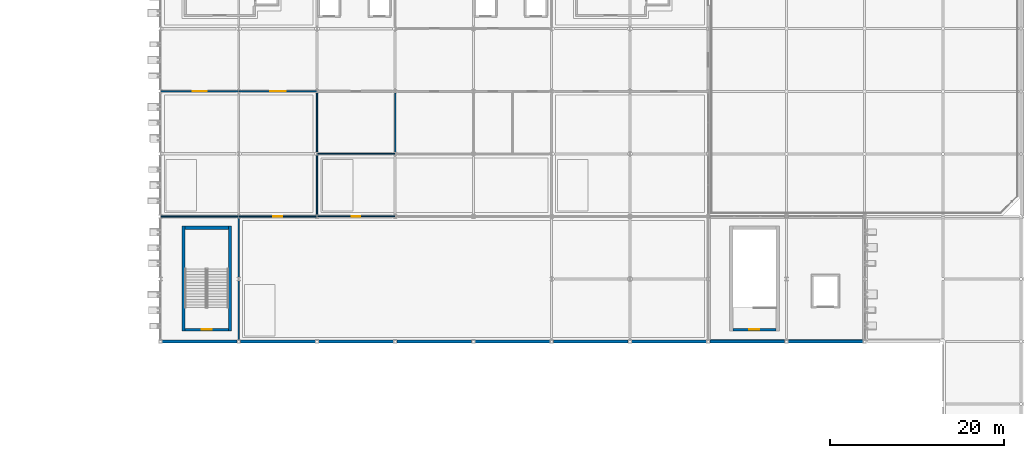
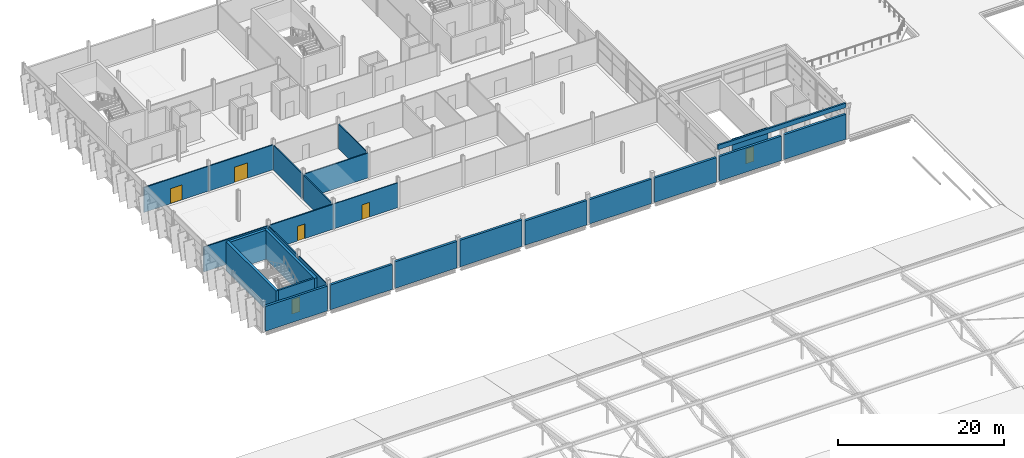
# One storey, part 65 of 78: 26 walls, 6 doors, 6 openings.
"""IFC4 building model written with IfcOpenShell, lengths in metres."""

from ifc_helpers import new_model, si_unit, direction, frame, frame_2d, origin, place, context, subcontext, project, spatial, rectangle, extrude, material, layer, layer_set, type_object, element, fill, save


model = new_model("IFC4")

# Units and contexts
model_context = context("Model", 3, precision=1e-05, world=origin(), true_north=direction((0.0, 1.0)))
body_context = subcontext(model_context, "Body", "Model", "MODEL_VIEW")
ifc_project = project(units=[si_unit("LENGTHUNIT", "METRE"), si_unit("AREAUNIT", "SQUARE_METRE"), si_unit("VOLUMEUNIT", "CUBIC_METRE"), si_unit("PLANEANGLEUNIT", "RADIAN"), si_unit("MASSUNIT", "GRAM", prefix="KILO")], contexts=[model_context])

# Site, building, storey
site_placement = place(None, origin())
site = spatial("IfcSite", under=ifc_project, at=site_placement, CompositionType="ELEMENT")
building_placement = place(site_placement, origin())
building = spatial("IfcBuilding", under=site, at=building_placement, Name="Celestram Park Convention Centre", CompositionType="ELEMENT")
storey_placement = place(building_placement, frame((0.0, 0.0, 19.800048828125)))
storey = spatial("IfcBuildingStorey", under=building, at=storey_placement, Name="L04", CompositionType="ELEMENT", Elevation=19.800048828125)

# Wall, opening, door
ifc_material_1 = material(Name="Concrete Block Masonry C25/30", Category="masonry")
ifc_layer_1 = layer(ifc_material_1, 0.25)
ifc_layer_set_1 = layer_set([ifc_layer_1], Name="Concrete Block Masonry C25/30")
wall_type_1 = type_object("IfcWallType", Name="ARC-WL-COR250", PredefinedType="STANDARD", material=ifc_layer_set_1)
wall_1_placement = place(storey_placement, frame((101.840087890625, 109.375, 0.0), z_axis=(0.0, 0.0, 1.0), x_axis=(1.0, 0.0, 0.0)))
wall_1 = element("IfcWall", 1, at=wall_1_placement, inside=storey, type_object=wall_type_1, Name="Core C3 stair entrance wall", PredefinedType="STANDARD", context=body_context, shape_type="SweptSolid", body=[
    extrude(rectangle(XDim=4.9599609375, YDim=0.25, at=frame_2d((2.47998046875, 0.0))), origin(), (0.0, 0.0, 1.0), 4.25),
])
opening_1_placement = place(wall_1_placement, frame((1.905029296875, 0.0, 0.0)))
opening_1 = element("IfcOpeningElement", 2, at=opening_1_placement, cuts=wall_1, Name="Opening D-ST1", PredefinedType="OPENING", context=body_context, shape_type="SweptSolid", body=[
    extrude(rectangle(XDim=1.14990234375, YDim=2.199951171875, at=frame_2d((0.574951171875, 1.10009765625))), frame((0.0, 0.135009765625, 0.0), z_axis=(0.0, -1.0, 0.0), x_axis=(1.0, 0.0, 0.0)), (0.0, 0.0, 1.0), 0.27001953125),
])
ifc_material_2 = material(Name="Fire-Rated Hollow Metal Steel ASTM A653", Category="steel")
door_type_1 = type_object("IfcDoorType", Name="ARC-DR-ST115", OperationType="NOTDEFINED", PredefinedType="DOOR", material=ifc_material_2)
door_1_placement = place(opening_1_placement, origin())
door_1 = element("IfcDoor", 3, at=door_1_placement, inside=storey, type_object=door_type_1, Name="Exit stair ST-03 fire door", OperationType="SINGLE_SWING_RIGHT", OverallHeight=2.199951171875, OverallWidth=1.14990234375, PredefinedType="DOOR", context=body_context, shape_type="SweptSolid", body=[
    extrude(rectangle(XDim=1.14990234375, YDim=2.199951171875, at=frame_2d((0.574951171875, 1.10009765625))), frame((0.0, 0.02490234375, 0.0), z_axis=(0.0, -1.0, 0.0), x_axis=(1.0, 0.0, 0.0)), (0.0, 0.0, 1.0), 0.050048828125),
])
fill(opening_1, door_1)

wall_2_placement = place(storey_placement, frame((38.840087890625, 109.375, 0.0), z_axis=(0.0, 0.0, 1.0), x_axis=(1.0, 0.0, 0.0)))
wall_2 = element("IfcWall", 4, at=wall_2_placement, inside=storey, type_object=wall_type_1, Name="Core S13 stair entrance wall", PredefinedType="STANDARD", context=body_context, shape_type="SweptSolid", body=[
    extrude(rectangle(XDim=4.9599609375, YDim=0.25, at=frame_2d((2.47998046875, 0.0))), origin(), (0.0, 0.0, 1.0), 4.25),
])
opening_2_placement = place(wall_2_placement, frame((1.905029296875, 0.0, 0.0)))
opening_2 = element("IfcOpeningElement", 5, at=opening_2_placement, cuts=wall_2, Name="Opening D-ST1", PredefinedType="OPENING", context=body_context, shape_type="SweptSolid", body=[
    extrude(rectangle(XDim=1.14990234375, YDim=2.199951171875, at=frame_2d((0.574951171875, 1.10009765625))), frame((0.0, 0.135009765625, 0.0), z_axis=(0.0, -1.0, 0.0), x_axis=(1.0, 0.0, 0.0)), (0.0, 0.0, 1.0), 0.27001953125),
])
door_2_placement = place(opening_2_placement, origin())
door_2 = element("IfcDoor", 6, at=door_2_placement, inside=storey, type_object=door_type_1, Name="Exit stair ST-13 fire door", OperationType="SINGLE_SWING_RIGHT", OverallHeight=2.199951171875, OverallWidth=1.14990234375, PredefinedType="DOOR", context=body_context, shape_type="SweptSolid", body=[
    extrude(rectangle(XDim=1.14990234375, YDim=2.199951171875, at=frame_2d((0.574951171875, 1.10009765625))), frame((0.0, 0.02490234375, 0.0), z_axis=(0.0, -1.0, 0.0), x_axis=(1.0, 0.0, 0.0)), (0.0, 0.0, 1.0), 0.050048828125),
])
fill(opening_2, door_2)

# Walls
ifc_material_3 = material(Name="Precast Concrete C40/50", Category="concrete")
ifc_layer_2 = layer(ifc_material_3, 0.320068359375)
ifc_layer_set_2 = layer_set([ifc_layer_2], Name="Precast Concrete C40/50")
wall_type_2 = type_object("IfcWallType", Name="ARC-WL-EXT320", PredefinedType="STANDARD", material=ifc_layer_set_2)
wall_3_placement = place(storey_placement, frame((116.802001953125, 108.0, 0.0), z_axis=(0.0, 0.0, 1.0), x_axis=(-1.0, 0.0, 0.0)))
element("IfcWall", 7, at=wall_3_placement, inside=storey, type_object=wall_type_2, Name="Bush-hammered precast exterior wall WL-L04-EW217", PredefinedType="STANDARD", context=body_context, shape_type="SweptSolid", body=[
    extrude(rectangle(XDim=8.60400390625, YDim=0.320068359375, at=frame_2d((4.302001953125, 0.0))), origin(), (0.0, 0.0, 1.0), 3.64794921875),
])
for number, where, z_axis, x_axis, name in (
    (8, (107.802001953125, 108.0, 0.0), (0.0, 0.0, 1.0), (-1.0, 0.0, 0.0), "Bush-hammered precast exterior wall WL-L04-EW218"),
    (9, (98.802001953125, 108.0, 0.0), (0.0, 0.0, 1.0), (-1.0, 0.0, 0.0), "Bush-hammered precast exterior wall WL-L04-EW219"),
    (10, (89.802001953125, 108.0, 0.0), (0.0, 0.0, 1.0), (-1.0, 0.0, 0.0), "Bush-hammered precast exterior wall WL-L04-EW220"),
    (11, (80.802001953125, 108.0, 0.0), (0.0, 0.0, 1.0), (-1.0, 0.0, 0.0), "Bush-hammered precast exterior wall WL-L04-EW221"),
):
    element("IfcWall", number, at=place(storey_placement, frame(where, z_axis=z_axis, x_axis=x_axis)), inside=storey, type_object=wall_type_2, Name=name, PredefinedType="STANDARD", context=body_context, shape_type="SweptSolid", body=[
        extrude(rectangle(XDim=8.60400390625, YDim=0.320068359375, at=frame_2d((4.302001953125, 0.0))), origin(), (0.0, 0.0, 1.0), 3.587890625),
    ])
for number, where, z_axis, x_axis, name in (
    (12, (71.802001953125, 108.0, 0.0), (0.0, 0.0, 1.0), (-1.0, 0.0, 0.0), "Bush-hammered precast exterior wall WL-L04-EW222"),
    (13, (62.802001953125, 108.0, 0.0), (0.0, 0.0, 1.0), (-1.0, 0.0, 0.0), "Bush-hammered precast exterior wall WL-L04-EW223"),
):
    element("IfcWall", number, at=place(storey_placement, frame(where, z_axis=z_axis, x_axis=x_axis)), inside=storey, type_object=wall_type_2, Name=name, PredefinedType="STANDARD", context=body_context, shape_type="SweptSolid", body=[
        extrude(rectangle(XDim=8.60400390625, YDim=0.320068359375, at=frame_2d((4.302001953125, 0.0))), origin(), (0.0, 0.0, 1.0), 3.904052734375),
    ])
for number, where, z_axis, x_axis, name in (
    (14, (53.802001953125, 108.0, 0.0), (0.0, 0.0, 1.0), (-1.0, 0.0, 0.0), "Bush-hammered precast exterior wall WL-L04-EW224"),
    (15, (44.802001953125, 108.0, 0.0), (0.0, 0.0, 1.0), (-1.0, 0.0, 0.0), "Bush-hammered precast exterior wall WL-L04-EW225"),
):
    element("IfcWall", number, at=place(storey_placement, frame(where, z_axis=z_axis, x_axis=x_axis)), inside=storey, type_object=wall_type_2, Name=name, PredefinedType="STANDARD", context=body_context, shape_type="SweptSolid", body=[
        extrude(rectangle(XDim=8.60400390625, YDim=0.320068359375, at=frame_2d((4.302001953125, 0.0))), origin(), (0.0, 0.0, 1.0), 3.64794921875),
    ])
ifc_layer_3 = layer(ifc_material_3, 0.239990234375)
ifc_layer_set_3 = layer_set([ifc_layer_3], Name="Precast Concrete C40/50")
wall_type_3 = type_object("IfcWallType", Name="ARC-WL-PAR240", PredefinedType="PARAPET", material=ifc_layer_set_3)
wall_4_placement = place(storey_placement, frame((116.860107421875, 108.139892578125, 4.5), z_axis=(0.0, 0.0, 1.0), x_axis=(-1.0, 0.0, 0.0)))
element("IfcWall", 16, at=wall_4_placement, inside=storey, type_object=wall_type_3, Name="Flat roof parapet WL-L04-PR14", PredefinedType="PARAPET", context=body_context, shape_type="SweptSolid", body=[
    extrude(rectangle(XDim=17.72021484375, YDim=0.239990234375, at=frame_2d((8.860107421875, 0.0))), origin(), (0.0, 0.0, 1.0), 0.64990234375),
])

# Wall, opening, door
ifc_material_4 = material(Name="Standard Gypsum & Steel Stud 120 mm", Category="steel")
ifc_layer_4 = layer(ifc_material_4, 0.1201171875)
ifc_layer_set_4 = layer_set([ifc_layer_4], Name="Standard Gypsum & Steel Stud 120 mm")
wall_type_4 = type_object("IfcWallType", Name="ARC-WL-PRT120", PredefinedType="PARTITIONING", material=ifc_layer_set_4)
wall_5_placement = place(storey_placement, frame((54.006103515625, 122.39990234375, 0.0), z_axis=(0.0, 0.0, 1.0), x_axis=(1.0, 0.0, 0.0)))
wall_5 = element("IfcWall", 17, at=wall_5_placement, inside=storey, type_object=wall_type_4, Name="Interior partition WL-L04-IN0945", PredefinedType="PARTITIONING", context=body_context, shape_type="SweptSolid", body=[
    extrude(rectangle(XDim=8.98779296875, YDim=0.1201171875, at=frame_2d((4.493896484375, 0.0))), origin(), (0.0, 0.0, 1.0), 3.64794921875),
])
opening_3_placement = place(wall_5_placement, frame((3.993896484375, 0.0, 0.0)))
opening_3 = element("IfcOpeningElement", 18, at=opening_3_placement, cuts=wall_5, Name="Opening D-07", PredefinedType="OPENING", context=body_context, shape_type="SweptSolid", body=[
    extrude(rectangle(XDim=1.0, YDim=2.14990234375, at=frame_2d((0.5, 1.074951171875))), frame((0.0, 0.070068359375, 0.0), z_axis=(0.0, -1.0, 0.0), x_axis=(1.0, 0.0, 0.0)), (0.0, 0.0, 1.0), 0.14013671875),
])
ifc_material_5 = material(Name="Solid Core White Oak Single Door", Category="wood")
door_type_2 = type_object("IfcDoorType", Name="ARC-DR-RM100", OperationType="NOTDEFINED", PredefinedType="DOOR", material=ifc_material_5)
door_3_placement = place(opening_3_placement, origin())
door_3 = element("IfcDoor", 19, at=door_3_placement, inside=storey, type_object=door_type_2, Name="Summit VIP Briefing Room entrance door", OperationType="SINGLE_SWING_RIGHT", OverallHeight=2.14990234375, OverallWidth=1.0, PredefinedType="DOOR", context=body_context, shape_type="SweptSolid", body=[
    extrude(rectangle(XDim=1.0, YDim=2.14990234375, at=frame_2d((0.5, 1.074951171875))), frame((0.0, 0.02490234375, 0.0), z_axis=(0.0, -1.0, 0.0), x_axis=(1.0, 0.0, 0.0)), (0.0, 0.0, 1.0), 0.050048828125),
])
fill(opening_3, door_3)

# Walls
wall_6_placement = place(storey_placement, frame((45.0, 108.197998046875, 0.0), z_axis=(0.0, 0.0, 1.0), x_axis=(0.0, 1.0, 0.0)))
element("IfcWall", 20, at=wall_6_placement, inside=storey, type_object=wall_type_4, Name="Interior partition WL-L04-IN0968", PredefinedType="PARTITIONING", context=body_context, shape_type="SweptSolid", body=[
    extrude(rectangle(XDim=6.8173828125, YDim=0.1201171875, at=frame_2d((3.40869140625, 0.0))), origin(), (0.0, 0.0, 1.0), 3.64794921875),
])
wall_7_placement = place(storey_placement, frame((45.0, 115.384521484375, 0.0), z_axis=(0.0, 0.0, 1.0), x_axis=(0.0, 1.0, 0.0)))
element("IfcWall", 21, at=wall_7_placement, inside=storey, type_object=wall_type_4, Name="Interior partition WL-L04-IN0969", PredefinedType="PARTITIONING", context=body_context, shape_type="SweptSolid", body=[
    extrude(rectangle(XDim=6.8310546875, YDim=0.1201171875, at=frame_2d((3.41552734375, 0.0))), origin(), (0.0, 0.0, 1.0), 3.64794921875),
])
ifc_material_6 = material(Name="Moisture-Resistant Gypsum Partition 140 mm", Category="gypsum")
ifc_layer_5 = layer(ifc_material_6, 0.139892578125)
ifc_layer_set_5 = layer_set([ifc_layer_5], Name="Moisture-Resistant Gypsum Partition 140 mm")
wall_type_5 = type_object("IfcWallType", Name="ARC-WL-PRT140", PredefinedType="PARTITIONING", material=ifc_layer_set_5)
wall_8_placement = place(storey_placement, frame((54.006103515625, 129.60009765625, 0.0), z_axis=(0.0, 0.0, 1.0), x_axis=(1.0, 0.0, 0.0)))
element("IfcWall", 22, at=wall_8_placement, inside=storey, type_object=wall_type_5, Name="Interior partition WL-L04-IN0951", PredefinedType="PARTITIONING", context=body_context, shape_type="SweptSolid", body=[
    extrude(rectangle(XDim=8.98779296875, YDim=0.139892578125, at=frame_2d((4.493896484375, 0.0))), origin(), (0.0, 0.0, 1.0), 3.64794921875),
])
for number, where, z_axis, x_axis, name in (
    (23, (54.0, 129.784423828125, 0.0), (0.0, 0.0, 1.0), (0.0, 1.0, 0.0), "Interior partition WL-L04-IN0971"),
    (24, (63.0, 129.784423828125, 0.0), (0.0, 0.0, 1.0), (0.0, 1.0, 0.0), "Interior partition WL-L04-IN0972"),
):
    element("IfcWall", number, at=place(storey_placement, frame(where, z_axis=z_axis, x_axis=x_axis)), inside=storey, type_object=wall_type_5, Name=name, PredefinedType="PARTITIONING", context=body_context, shape_type="SweptSolid", body=[
        extrude(rectangle(XDim=6.8310546875, YDim=0.139892578125, at=frame_2d((3.41552734375, 0.0))), origin(), (0.0, 0.0, 1.0), 3.64794921875),
    ])
ifc_material_7 = material(Name="Acoustic Gypsum & Steel Stud 160 mm", Category="steel")
ifc_layer_6 = layer(ifc_material_7, 0.159912109375)
ifc_layer_set_6 = layer_set([ifc_layer_6], Name="Acoustic Gypsum & Steel Stud 160 mm")
wall_type_6 = type_object("IfcWallType", Name="ARC-WL-PRT160", PredefinedType="PARTITIONING", material=ifc_layer_set_6)
wall_9_placement = place(storey_placement, frame((36.006103515625, 122.39990234375, 0.0), z_axis=(0.0, 0.0, 1.0), x_axis=(1.0, 0.0, 0.0)))
element("IfcWall", 25, at=wall_9_placement, inside=storey, type_object=wall_type_6, Name="Interior partition WL-L04-IN0943", PredefinedType="PARTITIONING", context=body_context, shape_type="SweptSolid", body=[
    extrude(rectangle(XDim=8.98779296875, YDim=0.159912109375, at=frame_2d((4.493896484375, 0.0))), origin(), (0.0, 0.0, 1.0), 3.64794921875),
])

# Wall, opening, door
wall_10_placement = place(storey_placement, frame((45.006103515625, 122.39990234375, 0.0), z_axis=(0.0, 0.0, 1.0), x_axis=(1.0, 0.0, 0.0)))
wall_10 = element("IfcWall", 26, at=wall_10_placement, inside=storey, type_object=wall_type_6, Name="Interior partition WL-L04-IN0944", PredefinedType="PARTITIONING", context=body_context, shape_type="SweptSolid", body=[
    extrude(rectangle(XDim=8.98779296875, YDim=0.159912109375, at=frame_2d((4.493896484375, 0.0))), origin(), (0.0, 0.0, 1.0), 3.64794921875),
])
opening_4_placement = place(wall_10_placement, frame((3.96875, 0.0, 0.0)))
opening_4 = element("IfcOpeningElement", 27, at=opening_4_placement, cuts=wall_10, Name="Opening D-06", PredefinedType="OPENING", context=body_context, shape_type="SweptSolid", body=[
    extrude(rectangle(XDim=1.050048828125, YDim=2.14990234375, at=frame_2d((0.52490234375, 1.074951171875))), frame((0.0, 0.08984375, 0.0), z_axis=(0.0, -1.0, 0.0), x_axis=(1.0, 0.0, 0.0)), (0.0, 0.0, 1.0), 0.179931640625),
])
door_type_3 = type_object("IfcDoorType", Name="ARC-DR-RM105", OperationType="NOTDEFINED", PredefinedType="DOOR", material=ifc_material_5)
door_4_placement = place(opening_4_placement, origin())
door_4 = element("IfcDoor", 28, at=door_4_placement, inside=storey, type_object=door_type_3, Name="Summit VIP Briefing Room entrance door", OperationType="SINGLE_SWING_LEFT", OverallHeight=2.14990234375, OverallWidth=1.050048828125, PredefinedType="DOOR", context=body_context, shape_type="SweptSolid", body=[
    extrude(rectangle(XDim=1.050048828125, YDim=2.14990234375, at=frame_2d((0.52490234375, 1.074951171875))), frame((0.0, 0.02490234375, 0.0), z_axis=(0.0, -1.0, 0.0), x_axis=(1.0, 0.0, 0.0)), (0.0, 0.0, 1.0), 0.050048828125),
])
fill(opening_4, door_4)

wall_11_placement = place(storey_placement, frame((36.006103515625, 136.800048828125, 0.0), z_axis=(0.0, 0.0, 1.0), x_axis=(1.0, 0.0, 0.0)))
wall_11 = element("IfcWall", 29, at=wall_11_placement, inside=storey, type_object=wall_type_6, Name="Interior partition WL-L04-IN0955", PredefinedType="PARTITIONING", context=body_context, shape_type="SweptSolid", body=[
    extrude(rectangle(XDim=8.98779296875, YDim=0.159912109375, at=frame_2d((4.493896484375, 0.0))), origin(), (0.0, 0.0, 1.0), 3.64794921875),
])
opening_5_placement = place(wall_11_placement, frame((3.69384765625, 0.0, 0.0)))
opening_5 = element("IfcOpeningElement", 30, at=opening_5_placement, cuts=wall_11, Name="Opening D-05", PredefinedType="OPENING", context=body_context, shape_type="SweptSolid", body=[
    extrude(rectangle(XDim=1.60009765625, YDim=2.199951171875, at=frame_2d((0.800048828125, 1.10009765625))), frame((0.0, 0.08984375, 0.0), z_axis=(0.0, -1.0, 0.0), x_axis=(1.0, 0.0, 0.0)), (0.0, 0.0, 1.0), 0.179931640625),
])
ifc_material_8 = material(Name="Solid White Oak Double Door", Category="wood")
door_type_4 = type_object("IfcDoorType", Name="ARC-DR-MTG160", OperationType="NOTDEFINED", PredefinedType="DOOR", material=ifc_material_8)
door_5_placement = place(opening_5_placement, origin())
door_5 = element("IfcDoor", 31, at=door_5_placement, inside=storey, type_object=door_type_4, Name="Executive Conference Room 401 entrance door", OperationType="DOUBLE_DOOR_SINGLE_SWING", OverallHeight=2.199951171875, OverallWidth=1.60009765625, PredefinedType="DOOR", context=body_context, shape_type="SweptSolid", body=[
    extrude(rectangle(XDim=1.60009765625, YDim=2.199951171875, at=frame_2d((0.800048828125, 1.10009765625))), frame((0.0, 0.02490234375, 0.0), z_axis=(0.0, -1.0, 0.0), x_axis=(1.0, 0.0, 0.0)), (0.0, 0.0, 1.0), 0.050048828125),
])
fill(opening_5, door_5)

wall_12_placement = place(storey_placement, frame((45.006103515625, 136.800048828125, 0.0), z_axis=(0.0, 0.0, 1.0), x_axis=(1.0, 0.0, 0.0)))
wall_12 = element("IfcWall", 32, at=wall_12_placement, inside=storey, type_object=wall_type_6, Name="Interior partition WL-L04-IN0956", PredefinedType="PARTITIONING", context=body_context, shape_type="SweptSolid", body=[
    extrude(rectangle(XDim=8.98779296875, YDim=0.159912109375, at=frame_2d((4.493896484375, 0.0))), origin(), (0.0, 0.0, 1.0), 3.64794921875),
])
opening_6_placement = place(wall_12_placement, frame((3.59375, 0.0, 0.0)))
opening_6 = element("IfcOpeningElement", 33, at=opening_6_placement, cuts=wall_12, Name="Opening D-04", PredefinedType="OPENING", context=body_context, shape_type="SweptSolid", body=[
    extrude(rectangle(XDim=1.800048828125, YDim=2.25, at=frame_2d((0.89990234375, 1.125))), frame((0.0, 0.08984375, 0.0), z_axis=(0.0, -1.0, 0.0), x_axis=(1.0, 0.0, 0.0)), (0.0, 0.0, 1.0), 0.179931640625),
])
ifc_material_9 = material(Name="Solid White Oak Acoustic Double Door", Category="wood")
door_type_5 = type_object("IfcDoorType", Name="ARC-DR-MTG180", OperationType="NOTDEFINED", PredefinedType="DOOR", material=ifc_material_9)
door_6_placement = place(opening_6_placement, origin())
door_6 = element("IfcDoor", 34, at=door_6_placement, inside=storey, type_object=door_type_5, Name="Executive Conference Room 401 entrance door", OperationType="DOUBLE_DOOR_SINGLE_SWING", OverallHeight=2.25, OverallWidth=1.800048828125, PredefinedType="DOOR", context=body_context, shape_type="SweptSolid", body=[
    extrude(rectangle(XDim=1.800048828125, YDim=2.25, at=frame_2d((0.89990234375, 1.125))), frame((0.0, 0.02490234375, 0.0), z_axis=(0.0, -1.0, 0.0), x_axis=(1.0, 0.0, 0.0)), (0.0, 0.0, 1.0), 0.050048828125),
])
fill(opening_6, door_6)

# Walls
wall_13_placement = place(storey_placement, frame((54.0, 122.58447265625, 0.0), z_axis=(0.0, 0.0, 1.0), x_axis=(0.0, 1.0, 0.0)))
element("IfcWall", 35, at=wall_13_placement, inside=storey, type_object=wall_type_6, Name="Interior partition WL-L04-IN0970", PredefinedType="PARTITIONING", context=body_context, shape_type="SweptSolid", body=[
    extrude(rectangle(XDim=6.8310546875, YDim=0.159912109375, at=frame_2d((3.41552734375, 0.0))), origin(), (0.0, 0.0, 1.0), 3.64794921875),
])
ifc_material_10 = material(Name="Concrete C40/50", Category="concrete")
ifc_layer_7 = layer(ifc_material_10, 0.3798828125)
ifc_layer_set_7 = layer_set([ifc_layer_7], Name="Concrete C40/50")
wall_type_7 = type_object("IfcWallType", Name="STR-WL-SHR380", PredefinedType="SHEAR", material=ifc_layer_set_7)
for number, where, z_axis, x_axis, name in (
    (36, (38.64990234375, 109.25, 0.0), (0.0, 0.0, 1.0), (0.0, 1.0, 0.0), "Core S13 shear wall L"),
    (37, (43.989990234375, 121.280029296875, 0.0), (0.0, 0.0, 1.0), (0.0, -1.0, 0.0), "Core S13 shear wall R"),
):
    element("IfcWall", number, at=place(storey_placement, frame(where, z_axis=z_axis, x_axis=x_axis)), inside=storey, type_object=wall_type_7, Name=name, PredefinedType="SHEAR", context=body_context, shape_type="SweptSolid", body=[
        extrude(rectangle(XDim=12.030029296875, YDim=0.3798828125, at=frame_2d((6.01513671875, 0.0))), origin(), (0.0, 0.0, 1.0), 4.260009765625),
    ])
wall_14_placement = place(storey_placement, frame((38.840087890625, 121.090087890625, 0.0), z_axis=(0.0, 0.0, 1.0), x_axis=(1.0, 0.0, 0.0)))
element("IfcWall", 38, at=wall_14_placement, inside=storey, type_object=wall_type_7, Name="Core S13 shear wall F", PredefinedType="SHEAR", context=body_context, shape_type="SweptSolid", body=[
    extrude(rectangle(XDim=4.9599609375, YDim=0.3798828125, at=frame_2d((2.47998046875, 0.0))), origin(), (0.0, 0.0, 1.0), 4.260009765625),
])

save(model, "model.ifc")
